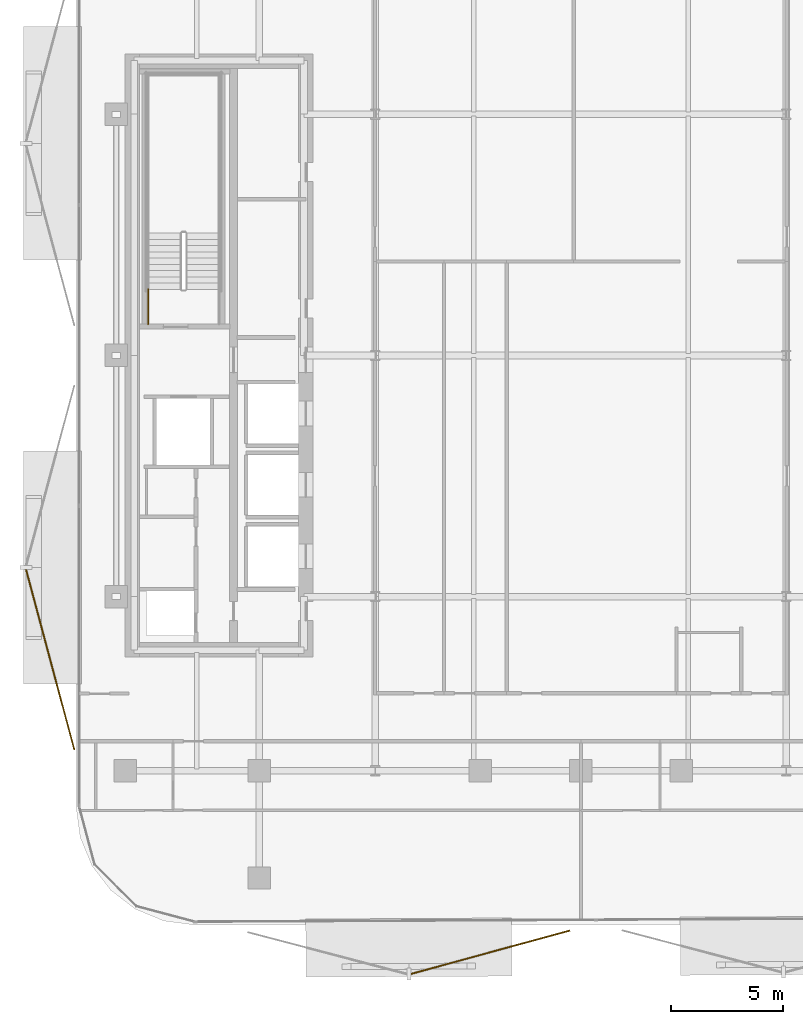
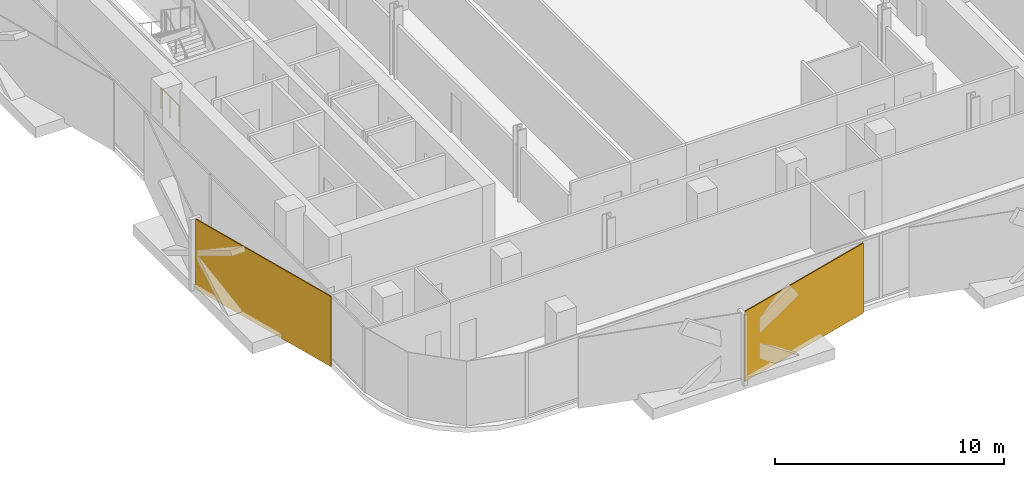
# One storey, part 13 of 17: 2 coverings, 1 railing.
"""IFC4 building model written with IfcOpenShell, lengths in metres."""

from ifc_helpers import new_model, si_unit, direction, frame, origin, origin_2d, place, context, subcontext, project, spatial, rectangle, circle, extrude, material, layer, layer_set, type_object, element, save


model = new_model("IFC4")

# Units and contexts
model_context = context("Model", 3, precision=1e-05, world=origin(), true_north=direction((0.0, 1.0)))
body_context = subcontext(model_context, "Body", "Model", "MODEL_VIEW")
ifc_project = project(units=[si_unit("LENGTHUNIT", "METRE"), si_unit("AREAUNIT", "SQUARE_METRE"), si_unit("VOLUMEUNIT", "CUBIC_METRE"), si_unit("PLANEANGLEUNIT", "RADIAN"), si_unit("MASSUNIT", "GRAM", prefix="KILO")], contexts=[model_context])

# Site, building, storey
site_placement = place(None, origin())
site = spatial("IfcSite", under=ifc_project, at=site_placement, CompositionType="ELEMENT")
building_placement = place(site_placement, origin())
building = spatial("IfcBuilding", under=site, at=building_placement, Name="Khairoan Windgate Tower", CompositionType="ELEMENT")
storey_placement = place(building_placement, frame((0.0, 0.0, 210.60009765625)))
storey = spatial("IfcBuildingStorey", under=building, at=storey_placement, Name="L49", CompositionType="ELEMENT", Elevation=210.60009765625)

# Coverings
ifc_material_1 = material(Name="Anodised Bronze Aluminium 6063-T6", Category="aluminium")
ifc_layer = layer(ifc_material_1, 0.054931640625, Name="Anodised Bronze Aluminium 6063-T6")
ifc_layer_set = layer_set([ifc_layer], Name="Anodised Bronze Aluminium 6063-T6")
covering_type = type_object("IfcCoveringType", Name="Perforated Bronze-Ceramic Folded Solar Screen Cladding BSC-1", PredefinedType="CLADDING", material=ifc_layer_set)
covering_1_placement = place(storey_placement, frame((-4.050048828125, -26.72021484375, -0.10009765625), z_axis=(0.0, 0.0, 1.0), x_axis=(-0.964649468762, -0.263536339841, 0.0)))
element("IfcCovering", 1, at=covering_1_placement, inside=storey, type_object=covering_type, Name="L49 Folded Bronze Solar Screen Facet 330L", PredefinedType="CLADDING", context=body_context, shape_type="SweptSolid", body=[
    extrude(rectangle(XDim=7.3759765625, YDim=0.054931640625, at=origin_2d()), origin(), (0.0, 0.0, 1.0), 3.739990234375),
])
covering_2_placement = place(storey_placement, frame((-23.7587890625, -13.62109375, -0.10009765625), z_axis=(0.0, 0.0, 1.0), x_axis=(-0.258819045103, 0.965925826289, 0.0)))
element("IfcCovering", 2, at=covering_2_placement, inside=storey, type_object=covering_type, Name="L49 Folded Bronze Solar Screen Facet 331L", PredefinedType="CLADDING", context=body_context, shape_type="SweptSolid", body=[
    extrude(rectangle(XDim=8.35595703125, YDim=0.054931640625, at=origin_2d()), origin(), (0.0, 0.0, 1.0), 3.739990234375),
])

# Railing
ifc_material_2 = material(Name="Steel S355", Category="steel")
railing_type = type_object("IfcRailingType", Name="Stairwell Safety Guardrail SGR-1150", PredefinedType="GUARDRAIL", material=ifc_material_2)
railing_placement = place(storey_placement, frame((-19.3701171875, 1.39990234375, 0.0)))
element("IfcRailing", 3, at=railing_placement, inside=storey, type_object=railing_type, Name="L49 ST2 stair guard 9", PredefinedType="GUARDRAIL", context=body_context, shape_type="SweptSolid", body=[
    extrude(circle(Radius=0.02392578125, at=origin_2d()), frame((0.0, 0.0, 1.1259765625), z_axis=(0.0, 1.0, 0.0), x_axis=(-1.0, 0.0, 0.0)), (0.0, 0.0, 1.0), 1.56005859375),
    extrude(circle(Radius=0.02099609375, at=origin_2d()), origin(), (0.0, 0.0, 1.0), 1.101806640625),
    extrude(circle(Radius=0.02099609375, at=origin_2d()), frame((0.0, 0.780029296875, 0.0)), (0.0, 0.0, 1.0), 1.101806640625),
    extrude(circle(Radius=0.02099609375, at=origin_2d()), frame((0.0, 1.56005859375, 0.0)), (0.0, 0.0, 1.0), 1.101806640625),
])

save(model, "model.ifc")
